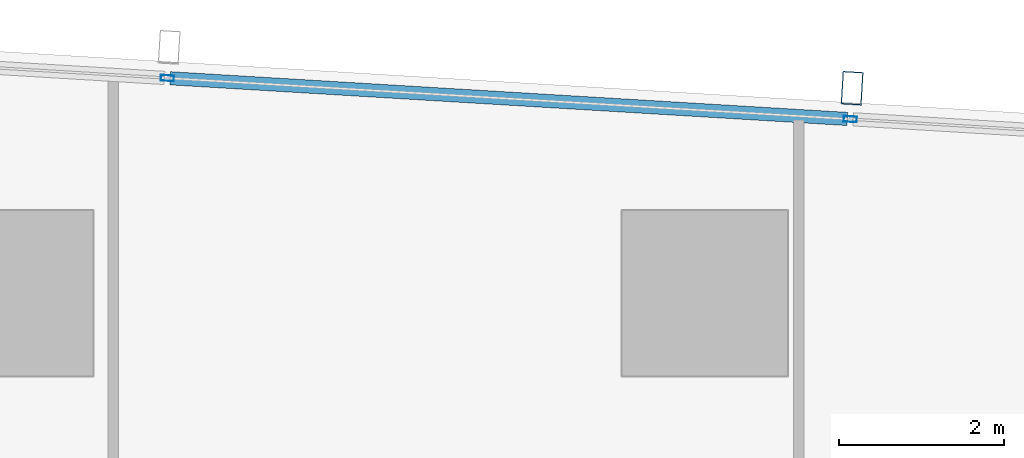
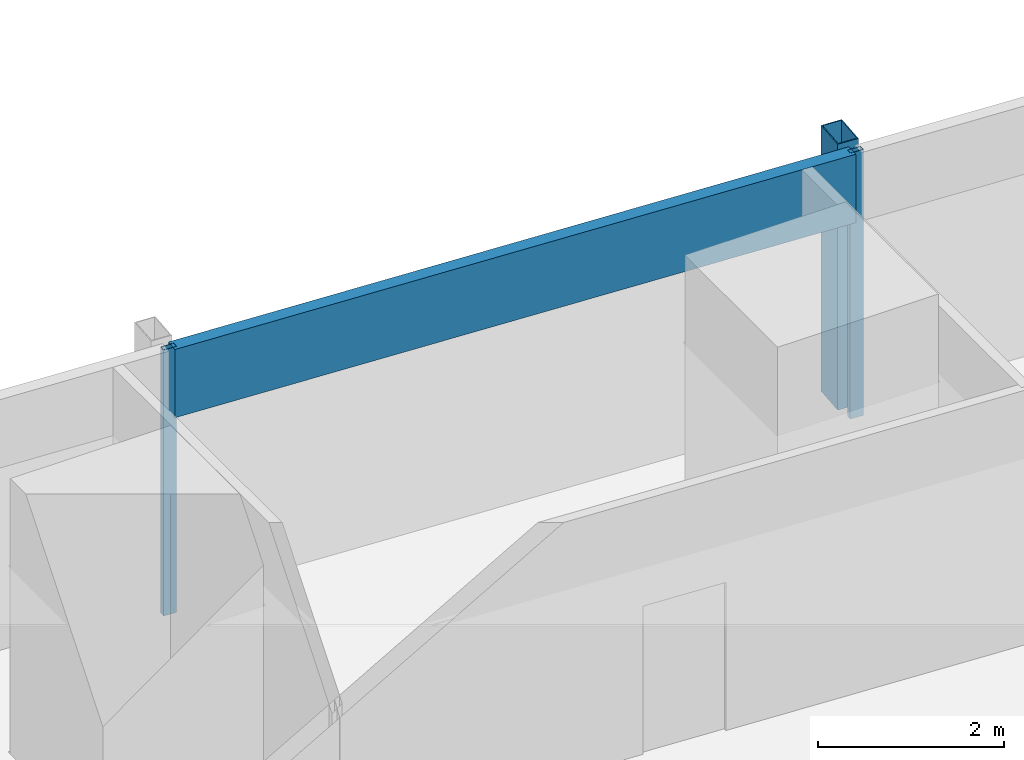
# One storey, part 19 of 39: 4 members, 1 element without a shape of its own.
"""IFC4 building model written with IfcOpenShell, lengths in metres."""

from ifc_helpers import new_model, si_unit, direction, frame, origin, origin_2d, place, context, subcontext, project, spatial, hollow_rectangle, extrude, material, material_profile, profile_set, type_object, element, aggregate, save


model = new_model("IFC4")

# Units and contexts
model_context = context("Model", 3, precision=1e-05, world=origin(), true_north=direction((0.0, 1.0)))
body_context = subcontext(model_context, "Body", "Model", "MODEL_VIEW")
ifc_project = project(units=[si_unit("LENGTHUNIT", "METRE"), si_unit("AREAUNIT", "SQUARE_METRE"), si_unit("VOLUMEUNIT", "CUBIC_METRE"), si_unit("PLANEANGLEUNIT", "RADIAN"), si_unit("MASSUNIT", "GRAM", prefix="KILO")], contexts=[model_context])

# Site, building, storey
site_placement = place(None, origin())
site = spatial("IfcSite", under=ifc_project, at=site_placement, CompositionType="ELEMENT")
building_placement = place(site_placement, origin())
building = spatial("IfcBuilding", under=site, at=building_placement, Name="Rekha Terrace Tower", CompositionType="ELEMENT")
storey_placement = place(building_placement, frame((0.0, 0.0, 151.550048828125)))
storey = spatial("IfcBuildingStorey", under=building, at=storey_placement, Name="L38", CompositionType="ELEMENT", Elevation=151.550048828125)

# Curtain wall, members
ifc_material_1 = material(Name="Aluminium framing", Category="aluminium")
curtain_wall_type = type_object("IfcCurtainWallType", Name="CW3 north unitised glazing", PredefinedType="USERDEFINED", material=ifc_material_1)
curtain_wall_placement = place(storey_placement, origin())
curtain_wall = element("IfcCurtainWall", 1, at=curtain_wall_placement, inside=storey, type_object=curtain_wall_type, Name="CW3 unitised curtain wall", ObjectType="UNITISED CURTAIN WALL", PredefinedType="USERDEFINED")
ifc_material_2 = material(Name="Steel S355 with fluorocarbon finish", Category="steel")
ifc_material_profile_1 = material_profile(ifc_material_2, hollow_rectangle(XDim=0.25, YDim=0.39990234375, WallThickness=0.012451171875, at=origin_2d()), Name="RHS400x250x12.5")
ifc_profile_set_1 = profile_set([ifc_material_profile_1], Name="Steel S355 with fluorocarbon finish")
member_type_1 = type_object("IfcMemberType", Name="BL1 facade blade RHS 400 x 250", PredefinedType="USERDEFINED", material=ifc_profile_set_1)
member_1_placement = place(storey_placement, frame((60.583740234375, 61.281005859375, 0.0), z_axis=(0.0, 0.0, 1.0), x_axis=(-0.998199123409, 0.059987582268, 0.0)))
member_1 = element("IfcMember", 2, at=member_1_placement, type_object=member_type_1, Name="Facade blade", ObjectType="FACADE BLADE", PredefinedType="USERDEFINED", context=body_context, shape_type="SweptSolid", body=[
    extrude(hollow_rectangle(XDim=0.25, YDim=0.39990234375, WallThickness=0.012451171875, at=origin_2d()), origin(), (0.0, 0.0, 1.0), 3.5),
])
ifc_material_3 = material(Name="Aluminium mullion section", Category="aluminium")
ifc_material_profile_2 = material_profile(ifc_material_3, hollow_rectangle(XDim=0.070068359375, YDim=0.159912109375, WallThickness=0.00390625, at=origin_2d()), Name="AL RHS 70x160")
ifc_profile_set_2 = profile_set([ifc_material_profile_2], Name="Aluminium mullion section")
member_type_2 = type_object("IfcMemberType", Name="CW3 mullion RHS 70 x 160", PredefinedType="MULLION", material=ifc_profile_set_2)
member_2_placement = place(storey_placement, frame((60.561279296875, 60.90673828125, 0.0), z_axis=(0.0, 0.0, 1.0), x_axis=(-0.059987926837, -0.998199102701, 0.0)))
member_2 = element("IfcMember", 3, at=member_2_placement, type_object=member_type_2, Name="CW3 mullion 2", PredefinedType="MULLION", context=body_context, shape_type="SweptSolid", body=[
    extrude(hollow_rectangle(XDim=0.070068359375, YDim=0.159912109375, WallThickness=0.00390625, at=origin_2d()), origin(), (0.0, 0.0, 1.0), 3.5),
])
member_3_placement = place(storey_placement, frame((52.299560546875, 61.4033203125, 0.0), z_axis=(0.0, 0.0, 1.0), x_axis=(-0.059987926837, -0.998199102701, 0.0)))
member_3 = element("IfcMember", 4, at=member_3_placement, type_object=member_type_2, Name="CW3 mullion 3", PredefinedType="MULLION", context=body_context, shape_type="SweptSolid", body=[
    extrude(hollow_rectangle(XDim=0.070068359375, YDim=0.159912109375, WallThickness=0.00390625, at=origin_2d()), origin(), (0.0, 0.0, 1.0), 3.5),
])
ifc_material_4 = material(Name="Insulated aluminium spandrel box", Category="aluminium")
ifc_material_profile_3 = material_profile(ifc_material_4, hollow_rectangle(XDim=0.159912109375, YDim=0.89990234375, WallThickness=0.0029296875, at=origin_2d()), Name="AL SPANDREL BOX 160x900")
ifc_profile_set_3 = profile_set([ifc_material_profile_3], Name="Insulated aluminium spandrel box")
member_type_3 = type_object("IfcMemberType", Name="CW3 spandrel transom 160 x 900", PredefinedType="USERDEFINED", material=ifc_profile_set_3)
member_4_placement = place(storey_placement, frame((60.5263671875, 60.908935546875, 3.050048828125), z_axis=(-0.998199826332, 0.059975884418, 0.0), x_axis=(-0.059975884418, -0.998199826332, 0.0)))
member_4 = element("IfcMember", 5, at=member_4_placement, type_object=member_type_3, Name="CW3 spandrel transom 2", ObjectType="TRANSOM", PredefinedType="USERDEFINED", context=body_context, shape_type="SweptSolid", body=[
    extrude(hollow_rectangle(XDim=0.159912109375, YDim=0.89990234375, WallThickness=0.0029296875, at=origin_2d()), origin(), (0.0, 0.0, 1.0), 8.20654296875),
])
aggregate(curtain_wall, [member_2, member_3, member_4, member_1])

save(model, "model.ifc")
